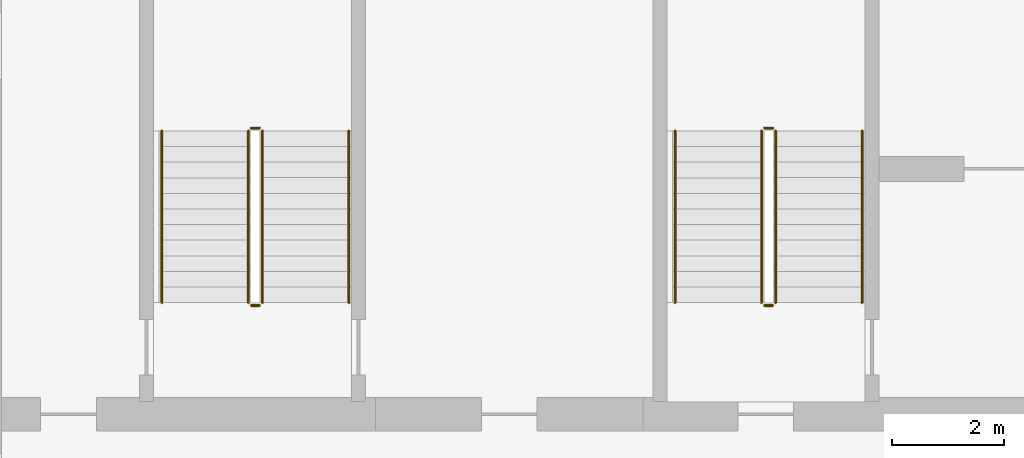
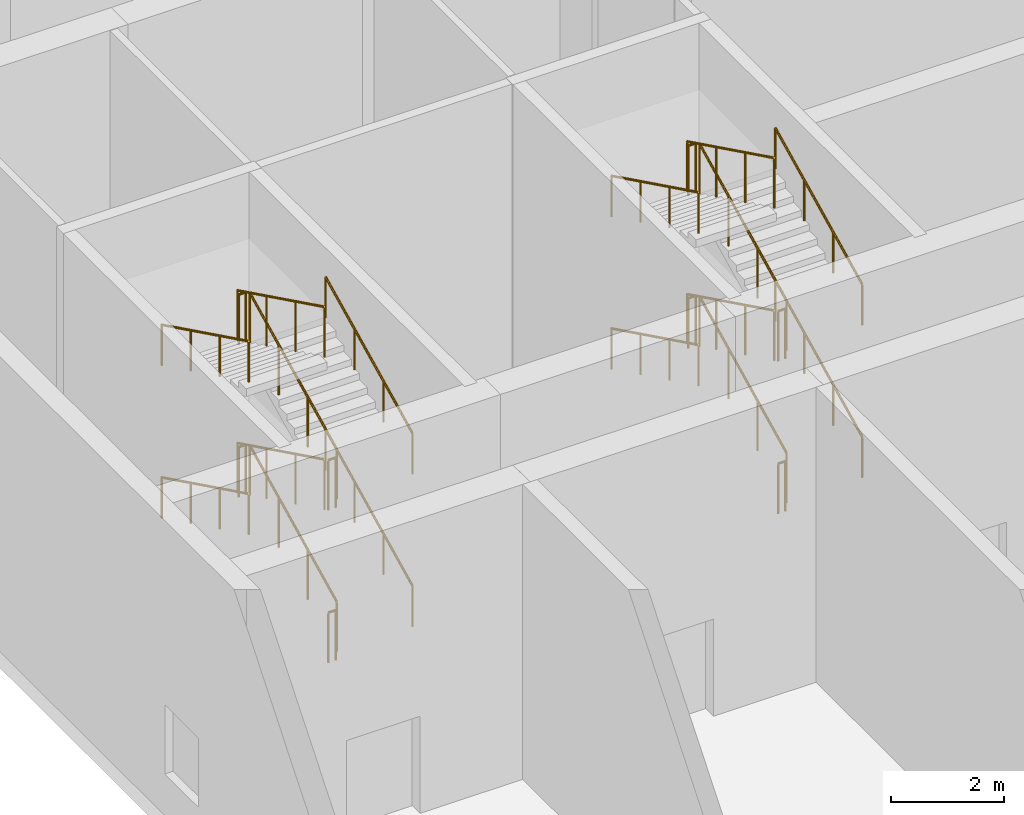
# One storey, part 12 of 13: 24 railings.
"""IFC4 building model written with IfcOpenShell, lengths in metres."""

from ifc_helpers import new_model, si_unit, direction, frame, origin, origin_2d, place, context, subcontext, project, spatial, circle, extrude, material, type_object, element, save


model = new_model("IFC4")

# Units and contexts
model_context = context("Model", 3, precision=1e-05, world=origin(), true_north=direction((0.0, 1.0)))
body_context = subcontext(model_context, "Body", "Model", "MODEL_VIEW")
ifc_project = project(units=[si_unit("LENGTHUNIT", "METRE"), si_unit("AREAUNIT", "SQUARE_METRE"), si_unit("VOLUMEUNIT", "CUBIC_METRE"), si_unit("PLANEANGLEUNIT", "RADIAN"), si_unit("MASSUNIT", "GRAM", prefix="KILO")], contexts=[model_context])

# Site, building, storey
site_placement = place(None, origin())
site = spatial("IfcSite", under=ifc_project, at=site_placement, CompositionType="ELEMENT")
building_placement = place(site_placement, origin())
building = spatial("IfcBuilding", under=site, at=building_placement, Name="Poui Terraces", CompositionType="ELEMENT")
storey_placement = place(building_placement, frame((0.0, 0.0, 165.300048828125)))
storey = spatial("IfcBuildingStorey", under=building, at=storey_placement, Name="L46", CompositionType="ELEMENT", Elevation=165.300048828125)

# Railings
ifc_material_1 = material(Name="Galvanised steel balustrade", Category="steel")
railing_type_1 = type_object("IfcRailingType", Name="STAIR GUARD 1100", PredefinedType="GUARDRAIL", material=ifc_material_1)
railing_1_placement = place(storey_placement, frame((32.074951171875, 16.60009765625, 0.137451171875)))
element("IfcRailing", 1, at=railing_1_placement, inside=storey, type_object=railing_type_1, Name="L46 ST-CW stair guard 1", PredefinedType="GUARDRAIL", context=body_context, shape_type="SweptSolid", body=[
    extrude(circle(Radius=0.02392578125, at=origin_2d()), frame((0.0, 0.0, 1.076171875), z_axis=(0.0, 0.897606190399, 0.440798283751), x_axis=(-1.0, 0.0, 0.0)), (0.0, 0.0, 1.0), 3.43115234375),
    extrude(circle(Radius=0.02099609375, at=origin_2d()), origin(), (0.0, 0.0, 1.0), 1.052001953125),
    extrude(circle(Radius=0.02099609375, at=origin_2d()), frame((0.0, 1.026611328125, 0.504150390625)), (0.0, 0.0, 1.0), 1.052001953125),
    extrude(circle(Radius=0.02099609375, at=origin_2d()), frame((0.0, 2.05322265625, 1.00830078125)), (0.0, 0.0, 1.0), 1.052001953125),
    extrude(circle(Radius=0.02099609375, at=origin_2d()), frame((0.0, 3.079833984375, 1.512451171875)), (0.0, 0.0, 1.0), 1.052001953125),
])
railing_2_placement = place(storey_placement, frame((32.02490234375, 19.72998046875, 1.64990234375)))
element("IfcRailing", 2, at=railing_2_placement, inside=storey, type_object=railing_type_1, Name="L46 ST-CW stair guard 2", PredefinedType="GUARDRAIL", context=body_context, shape_type="SweptSolid", body=[
    extrude(circle(Radius=0.02392578125, at=origin_2d()), frame((0.0, 0.0, 1.076171875), z_axis=(-1.0, 0.0, 0.0), x_axis=(0.0, -1.0, 0.0)), (0.0, 0.0, 1.0), 0.14990234375),
    extrude(circle(Radius=0.02099609375, at=origin_2d()), origin(), (0.0, 0.0, 1.0), 1.052001953125),
    extrude(circle(Radius=0.02099609375, at=origin_2d()), frame((-0.14990234375, 0.0, 0.0)), (0.0, 0.0, 1.0), 1.052001953125),
])
railing_3_placement = place(storey_placement, frame((31.824951171875, 19.679931640625, 1.787353515625)))
element("IfcRailing", 3, at=railing_3_placement, inside=storey, type_object=railing_type_1, Name="L46 ST-CW stair guard 3", PredefinedType="GUARDRAIL", context=body_context, shape_type="SweptSolid", body=[
    extrude(circle(Radius=0.02392578125, at=origin_2d()), frame((0.0, 0.0, 1.076171875), z_axis=(0.0, -0.897578036475, 0.440855609512), x_axis=(1.0, 0.0, 0.0)), (0.0, 0.0, 1.0), 3.43115234375),
    extrude(circle(Radius=0.02099609375, at=origin_2d()), origin(), (0.0, 0.0, 1.0), 1.052001953125),
    extrude(circle(Radius=0.02099609375, at=origin_2d()), frame((0.0, -1.026611328125, 0.504150390625)), (0.0, 0.0, 1.0), 1.052001953125),
    extrude(circle(Radius=0.02099609375, at=origin_2d()), frame((0.0, -2.05322265625, 1.008544921875)), (0.0, 0.0, 1.0), 1.052001953125),
    extrude(circle(Radius=0.02099609375, at=origin_2d()), frame((0.0, -3.079833984375, 1.5126953125)), (0.0, 0.0, 1.0), 1.052001953125),
])
railing_4_placement = place(storey_placement, frame((32.02490234375, 16.550048828125, 3.300048828125)))
element("IfcRailing", 4, at=railing_4_placement, inside=storey, type_object=railing_type_1, Name="L46 ST-CW stair guard 4", PredefinedType="GUARDRAIL", context=body_context, shape_type="SweptSolid", body=[
    extrude(circle(Radius=0.02392578125, at=origin_2d()), frame((0.0, 0.0, 1.076171875), z_axis=(-1.0, 0.0, 0.0), x_axis=(0.0, -1.0, 0.0)), (0.0, 0.0, 1.0), 0.14990234375),
    extrude(circle(Radius=0.02099609375, at=origin_2d()), origin(), (0.0, 0.0, 1.0), 1.052001953125),
    extrude(circle(Radius=0.02099609375, at=origin_2d()), frame((-0.14990234375, 0.0, 0.0)), (0.0, 0.0, 1.0), 1.052001953125),
])
railing_5_placement = place(storey_placement, frame((32.074951171875, 16.60009765625, 3.4375)))
element("IfcRailing", 5, at=railing_5_placement, inside=storey, type_object=railing_type_1, Name="L46 ST-CW stair guard 5", PredefinedType="GUARDRAIL", context=body_context, shape_type="SweptSolid", body=[
    extrude(circle(Radius=0.02392578125, at=origin_2d()), frame((0.0, 0.0, 1.076171875), z_axis=(0.0, 0.897606190399, 0.440798283751), x_axis=(-1.0, 0.0, 0.0)), (0.0, 0.0, 1.0), 3.43115234375),
    extrude(circle(Radius=0.02099609375, at=origin_2d()), origin(), (0.0, 0.0, 1.0), 1.052001953125),
    extrude(circle(Radius=0.02099609375, at=origin_2d()), frame((0.0, 1.026611328125, 0.504150390625)), (0.0, 0.0, 1.0), 1.052001953125),
    extrude(circle(Radius=0.02099609375, at=origin_2d()), frame((0.0, 2.05322265625, 1.00830078125)), (0.0, 0.0, 1.0), 1.052001953125),
    extrude(circle(Radius=0.02099609375, at=origin_2d()), frame((0.0, 3.079833984375, 1.512451171875)), (0.0, 0.0, 1.0), 1.052001953125),
])
railing_6_placement = place(storey_placement, frame((32.02490234375, 19.72998046875, 4.949951171875)))
element("IfcRailing", 6, at=railing_6_placement, inside=storey, type_object=railing_type_1, Name="L46 ST-CW stair guard 6", PredefinedType="GUARDRAIL", context=body_context, shape_type="SweptSolid", body=[
    extrude(circle(Radius=0.02392578125, at=origin_2d()), frame((0.0, 0.0, 1.076171875), z_axis=(-1.0, 0.0, 0.0), x_axis=(0.0, -1.0, 0.0)), (0.0, 0.0, 1.0), 0.14990234375),
    extrude(circle(Radius=0.02099609375, at=origin_2d()), origin(), (0.0, 0.0, 1.0), 1.052001953125),
    extrude(circle(Radius=0.02099609375, at=origin_2d()), frame((-0.14990234375, 0.0, 0.0)), (0.0, 0.0, 1.0), 1.052001953125),
])
railing_7_placement = place(storey_placement, frame((31.824951171875, 19.679931640625, 5.08740234375)))
element("IfcRailing", 7, at=railing_7_placement, inside=storey, type_object=railing_type_1, Name="L46 ST-CW stair guard 7", PredefinedType="GUARDRAIL", context=body_context, shape_type="SweptSolid", body=[
    extrude(circle(Radius=0.02392578125, at=origin_2d()), frame((0.0, 0.0, 1.076171875), z_axis=(0.0, -0.897606190399, 0.440798283751), x_axis=(1.0, 0.0, 0.0)), (0.0, 0.0, 1.0), 3.43115234375),
    extrude(circle(Radius=0.02099609375, at=origin_2d()), origin(), (0.0, 0.0, 1.0), 1.052001953125),
    extrude(circle(Radius=0.02099609375, at=origin_2d()), frame((0.0, -1.026611328125, 0.504150390625)), (0.0, 0.0, 1.0), 1.052001953125),
    extrude(circle(Radius=0.02099609375, at=origin_2d()), frame((0.0, -2.05322265625, 1.00830078125)), (0.0, 0.0, 1.0), 1.052001953125),
    extrude(circle(Radius=0.02099609375, at=origin_2d()), frame((0.0, -3.079833984375, 1.512451171875)), (0.0, 0.0, 1.0), 1.052001953125),
])
railing_8_placement = place(storey_placement, frame((32.02490234375, 16.550048828125, 0.0)))
element("IfcRailing", 8, at=railing_8_placement, inside=storey, type_object=railing_type_1, Name="L46 ST-CW stair guard 8", PredefinedType="GUARDRAIL", context=body_context, shape_type="SweptSolid", body=[
    extrude(circle(Radius=0.02392578125, at=origin_2d()), frame((0.0, 0.0, 1.076171875), z_axis=(-1.0, 0.0, 0.0), x_axis=(0.0, -1.0, 0.0)), (0.0, 0.0, 1.0), 0.14990234375),
    extrude(circle(Radius=0.02099609375, at=origin_2d()), origin(), (0.0, 0.0, 1.0), 1.052001953125),
    extrude(circle(Radius=0.02099609375, at=origin_2d()), frame((-0.14990234375, 0.0, 0.0)), (0.0, 0.0, 1.0), 1.052001953125),
])
railing_9_placement = place(storey_placement, frame((22.875, 16.60009765625, 0.137451171875)))
element("IfcRailing", 9, at=railing_9_placement, inside=storey, type_object=railing_type_1, Name="L46 ST-W stair guard 1", PredefinedType="GUARDRAIL", context=body_context, shape_type="SweptSolid", body=[
    extrude(circle(Radius=0.02392578125, at=origin_2d()), frame((0.0, 0.0, 1.076171875), z_axis=(0.0, 0.897606190399, 0.440798283751), x_axis=(-1.0, 0.0, 0.0)), (0.0, 0.0, 1.0), 3.43115234375),
    extrude(circle(Radius=0.02099609375, at=origin_2d()), origin(), (0.0, 0.0, 1.0), 1.052001953125),
    extrude(circle(Radius=0.02099609375, at=origin_2d()), frame((0.0, 1.026611328125, 0.504150390625)), (0.0, 0.0, 1.0), 1.052001953125),
    extrude(circle(Radius=0.02099609375, at=origin_2d()), frame((0.0, 2.05322265625, 1.00830078125)), (0.0, 0.0, 1.0), 1.052001953125),
    extrude(circle(Radius=0.02099609375, at=origin_2d()), frame((0.0, 3.079833984375, 1.512451171875)), (0.0, 0.0, 1.0), 1.052001953125),
])
railing_10_placement = place(storey_placement, frame((22.824951171875, 19.72998046875, 1.64990234375)))
element("IfcRailing", 10, at=railing_10_placement, inside=storey, type_object=railing_type_1, Name="L46 ST-W stair guard 2", PredefinedType="GUARDRAIL", context=body_context, shape_type="SweptSolid", body=[
    extrude(circle(Radius=0.02392578125, at=origin_2d()), frame((0.0, 0.0, 1.076171875), z_axis=(-1.0, 0.0, 0.0), x_axis=(0.0, -1.0, 0.0)), (0.0, 0.0, 1.0), 0.14990234375),
    extrude(circle(Radius=0.02099609375, at=origin_2d()), origin(), (0.0, 0.0, 1.0), 1.052001953125),
    extrude(circle(Radius=0.02099609375, at=origin_2d()), frame((-0.14990234375, 0.0, 0.0)), (0.0, 0.0, 1.0), 1.052001953125),
])
railing_11_placement = place(storey_placement, frame((22.625, 19.679931640625, 1.787353515625)))
element("IfcRailing", 11, at=railing_11_placement, inside=storey, type_object=railing_type_1, Name="L46 ST-W stair guard 3", PredefinedType="GUARDRAIL", context=body_context, shape_type="SweptSolid", body=[
    extrude(circle(Radius=0.02392578125, at=origin_2d()), frame((0.0, 0.0, 1.076171875), z_axis=(0.0, -0.897578036475, 0.440855609512), x_axis=(1.0, 0.0, 0.0)), (0.0, 0.0, 1.0), 3.43115234375),
    extrude(circle(Radius=0.02099609375, at=origin_2d()), origin(), (0.0, 0.0, 1.0), 1.052001953125),
    extrude(circle(Radius=0.02099609375, at=origin_2d()), frame((0.0, -1.026611328125, 0.504150390625)), (0.0, 0.0, 1.0), 1.052001953125),
    extrude(circle(Radius=0.02099609375, at=origin_2d()), frame((0.0, -2.05322265625, 1.008544921875)), (0.0, 0.0, 1.0), 1.052001953125),
    extrude(circle(Radius=0.02099609375, at=origin_2d()), frame((0.0, -3.079833984375, 1.5126953125)), (0.0, 0.0, 1.0), 1.052001953125),
])
railing_12_placement = place(storey_placement, frame((22.824951171875, 16.550048828125, 3.300048828125)))
element("IfcRailing", 12, at=railing_12_placement, inside=storey, type_object=railing_type_1, Name="L46 ST-W stair guard 4", PredefinedType="GUARDRAIL", context=body_context, shape_type="SweptSolid", body=[
    extrude(circle(Radius=0.02392578125, at=origin_2d()), frame((0.0, 0.0, 1.076171875), z_axis=(-1.0, 0.0, 0.0), x_axis=(0.0, -1.0, 0.0)), (0.0, 0.0, 1.0), 0.14990234375),
    extrude(circle(Radius=0.02099609375, at=origin_2d()), origin(), (0.0, 0.0, 1.0), 1.052001953125),
    extrude(circle(Radius=0.02099609375, at=origin_2d()), frame((-0.14990234375, 0.0, 0.0)), (0.0, 0.0, 1.0), 1.052001953125),
])
railing_13_placement = place(storey_placement, frame((22.875, 16.60009765625, 3.4375)))
element("IfcRailing", 13, at=railing_13_placement, inside=storey, type_object=railing_type_1, Name="L46 ST-W stair guard 5", PredefinedType="GUARDRAIL", context=body_context, shape_type="SweptSolid", body=[
    extrude(circle(Radius=0.02392578125, at=origin_2d()), frame((0.0, 0.0, 1.076171875), z_axis=(0.0, 0.897606190399, 0.440798283751), x_axis=(-1.0, 0.0, 0.0)), (0.0, 0.0, 1.0), 3.43115234375),
    extrude(circle(Radius=0.02099609375, at=origin_2d()), origin(), (0.0, 0.0, 1.0), 1.052001953125),
    extrude(circle(Radius=0.02099609375, at=origin_2d()), frame((0.0, 1.026611328125, 0.504150390625)), (0.0, 0.0, 1.0), 1.052001953125),
    extrude(circle(Radius=0.02099609375, at=origin_2d()), frame((0.0, 2.05322265625, 1.00830078125)), (0.0, 0.0, 1.0), 1.052001953125),
    extrude(circle(Radius=0.02099609375, at=origin_2d()), frame((0.0, 3.079833984375, 1.512451171875)), (0.0, 0.0, 1.0), 1.052001953125),
])
railing_14_placement = place(storey_placement, frame((22.824951171875, 19.72998046875, 4.949951171875)))
element("IfcRailing", 14, at=railing_14_placement, inside=storey, type_object=railing_type_1, Name="L46 ST-W stair guard 6", PredefinedType="GUARDRAIL", context=body_context, shape_type="SweptSolid", body=[
    extrude(circle(Radius=0.02392578125, at=origin_2d()), frame((0.0, 0.0, 1.076171875), z_axis=(-1.0, 0.0, 0.0), x_axis=(0.0, -1.0, 0.0)), (0.0, 0.0, 1.0), 0.14990234375),
    extrude(circle(Radius=0.02099609375, at=origin_2d()), origin(), (0.0, 0.0, 1.0), 1.052001953125),
    extrude(circle(Radius=0.02099609375, at=origin_2d()), frame((-0.14990234375, 0.0, 0.0)), (0.0, 0.0, 1.0), 1.052001953125),
])
railing_15_placement = place(storey_placement, frame((22.625, 19.679931640625, 5.08740234375)))
element("IfcRailing", 15, at=railing_15_placement, inside=storey, type_object=railing_type_1, Name="L46 ST-W stair guard 7", PredefinedType="GUARDRAIL", context=body_context, shape_type="SweptSolid", body=[
    extrude(circle(Radius=0.02392578125, at=origin_2d()), frame((0.0, 0.0, 1.076171875), z_axis=(0.0, -0.897606190399, 0.440798283751), x_axis=(1.0, 0.0, 0.0)), (0.0, 0.0, 1.0), 3.43115234375),
    extrude(circle(Radius=0.02099609375, at=origin_2d()), origin(), (0.0, 0.0, 1.0), 1.052001953125),
    extrude(circle(Radius=0.02099609375, at=origin_2d()), frame((0.0, -1.026611328125, 0.504150390625)), (0.0, 0.0, 1.0), 1.052001953125),
    extrude(circle(Radius=0.02099609375, at=origin_2d()), frame((0.0, -2.05322265625, 1.00830078125)), (0.0, 0.0, 1.0), 1.052001953125),
    extrude(circle(Radius=0.02099609375, at=origin_2d()), frame((0.0, -3.079833984375, 1.512451171875)), (0.0, 0.0, 1.0), 1.052001953125),
])
railing_16_placement = place(storey_placement, frame((22.824951171875, 16.550048828125, 0.0)))
element("IfcRailing", 16, at=railing_16_placement, inside=storey, type_object=railing_type_1, Name="L46 ST-W stair guard 8", PredefinedType="GUARDRAIL", context=body_context, shape_type="SweptSolid", body=[
    extrude(circle(Radius=0.02392578125, at=origin_2d()), frame((0.0, 0.0, 1.076171875), z_axis=(-1.0, 0.0, 0.0), x_axis=(0.0, -1.0, 0.0)), (0.0, 0.0, 1.0), 0.14990234375),
    extrude(circle(Radius=0.02099609375, at=origin_2d()), origin(), (0.0, 0.0, 1.0), 1.052001953125),
    extrude(circle(Radius=0.02099609375, at=origin_2d()), frame((-0.14990234375, 0.0, 0.0)), (0.0, 0.0, 1.0), 1.052001953125),
])
ifc_material_2 = material(Name="Stainless steel handrail", Category="steel")
railing_type_2 = type_object("IfcRailingType", Name="STAIR HANDRAIL 900", PredefinedType="HANDRAIL", material=ifc_material_2)
railing_17_placement = place(storey_placement, frame((33.625, 16.60009765625, 0.137451171875)))
element("IfcRailing", 17, at=railing_17_placement, inside=storey, type_object=railing_type_2, Name="L46 ST-CW stair handrail 1", PredefinedType="HANDRAIL", context=body_context, shape_type="SweptSolid", body=[
    extrude(circle(Radius=0.02392578125, at=origin_2d()), frame((0.0, 0.0, 0.8759765625), z_axis=(0.0, 0.897606190399, 0.440798283751), x_axis=(-1.0, 0.0, 0.0)), (0.0, 0.0, 1.0), 3.43115234375),
    extrude(circle(Radius=0.02099609375, at=origin_2d()), origin(), (0.0, 0.0, 1.0), 0.851806640625),
    extrude(circle(Radius=0.02099609375, at=origin_2d()), frame((0.0, 1.026611328125, 0.504150390625)), (0.0, 0.0, 1.0), 0.851806640625),
    extrude(circle(Radius=0.02099609375, at=origin_2d()), frame((0.0, 2.05322265625, 1.00830078125)), (0.0, 0.0, 1.0), 0.851806640625),
    extrude(circle(Radius=0.02099609375, at=origin_2d()), frame((0.0, 3.079833984375, 1.512451171875)), (0.0, 0.0, 1.0), 0.851806640625),
])
railing_18_placement = place(storey_placement, frame((30.27490234375, 19.679931640625, 1.787353515625)))
element("IfcRailing", 18, at=railing_18_placement, inside=storey, type_object=railing_type_2, Name="L46 ST-CW stair handrail 2", PredefinedType="HANDRAIL", context=body_context, shape_type="SweptSolid", body=[
    extrude(circle(Radius=0.02392578125, at=origin_2d()), frame((0.0, 0.0, 0.8759765625), z_axis=(0.0, -0.897578036475, 0.440855609512), x_axis=(1.0, 0.0, 0.0)), (0.0, 0.0, 1.0), 3.43115234375),
    extrude(circle(Radius=0.02099609375, at=origin_2d()), origin(), (0.0, 0.0, 1.0), 0.851806640625),
    extrude(circle(Radius=0.02099609375, at=origin_2d()), frame((0.0, -1.026611328125, 0.504150390625)), (0.0, 0.0, 1.0), 0.851806640625),
    extrude(circle(Radius=0.02099609375, at=origin_2d()), frame((0.0, -2.05322265625, 1.008544921875)), (0.0, 0.0, 1.0), 0.851806640625),
    extrude(circle(Radius=0.02099609375, at=origin_2d()), frame((0.0, -3.079833984375, 1.5126953125)), (0.0, 0.0, 1.0), 0.851806640625),
])
railing_19_placement = place(storey_placement, frame((33.625, 16.60009765625, 3.4375)))
element("IfcRailing", 19, at=railing_19_placement, inside=storey, type_object=railing_type_2, Name="L46 ST-CW stair handrail 3", PredefinedType="HANDRAIL", context=body_context, shape_type="SweptSolid", body=[
    extrude(circle(Radius=0.02392578125, at=origin_2d()), frame((0.0, 0.0, 0.8759765625), z_axis=(0.0, 0.897606190399, 0.440798283751), x_axis=(-1.0, 0.0, 0.0)), (0.0, 0.0, 1.0), 3.43115234375),
    extrude(circle(Radius=0.02099609375, at=origin_2d()), origin(), (0.0, 0.0, 1.0), 0.851806640625),
    extrude(circle(Radius=0.02099609375, at=origin_2d()), frame((0.0, 1.026611328125, 0.504150390625)), (0.0, 0.0, 1.0), 0.851806640625),
    extrude(circle(Radius=0.02099609375, at=origin_2d()), frame((0.0, 2.05322265625, 1.00830078125)), (0.0, 0.0, 1.0), 0.851806640625),
    extrude(circle(Radius=0.02099609375, at=origin_2d()), frame((0.0, 3.079833984375, 1.512451171875)), (0.0, 0.0, 1.0), 0.851806640625),
])
railing_20_placement = place(storey_placement, frame((30.27490234375, 19.679931640625, 5.08740234375)))
element("IfcRailing", 20, at=railing_20_placement, inside=storey, type_object=railing_type_2, Name="L46 ST-CW stair handrail 4", PredefinedType="HANDRAIL", context=body_context, shape_type="SweptSolid", body=[
    extrude(circle(Radius=0.02392578125, at=origin_2d()), frame((0.0, 0.0, 0.8759765625), z_axis=(0.0, -0.897606190399, 0.440798283751), x_axis=(1.0, 0.0, 0.0)), (0.0, 0.0, 1.0), 3.43115234375),
    extrude(circle(Radius=0.02099609375, at=origin_2d()), origin(), (0.0, 0.0, 1.0), 0.851806640625),
    extrude(circle(Radius=0.02099609375, at=origin_2d()), frame((0.0, -1.026611328125, 0.504150390625)), (0.0, 0.0, 1.0), 0.851806640625),
    extrude(circle(Radius=0.02099609375, at=origin_2d()), frame((0.0, -2.05322265625, 1.00830078125)), (0.0, 0.0, 1.0), 0.851806640625),
    extrude(circle(Radius=0.02099609375, at=origin_2d()), frame((0.0, -3.079833984375, 1.512451171875)), (0.0, 0.0, 1.0), 0.851806640625),
])
railing_21_placement = place(storey_placement, frame((24.425048828125, 16.60009765625, 0.137451171875)))
element("IfcRailing", 21, at=railing_21_placement, inside=storey, type_object=railing_type_2, Name="L46 ST-W stair handrail 1", PredefinedType="HANDRAIL", context=body_context, shape_type="SweptSolid", body=[
    extrude(circle(Radius=0.02392578125, at=origin_2d()), frame((0.0, 0.0, 0.8759765625), z_axis=(0.0, 0.897606190399, 0.440798283751), x_axis=(-1.0, 0.0, 0.0)), (0.0, 0.0, 1.0), 3.43115234375),
    extrude(circle(Radius=0.02099609375, at=origin_2d()), origin(), (0.0, 0.0, 1.0), 0.851806640625),
    extrude(circle(Radius=0.02099609375, at=origin_2d()), frame((0.0, 1.026611328125, 0.504150390625)), (0.0, 0.0, 1.0), 0.851806640625),
    extrude(circle(Radius=0.02099609375, at=origin_2d()), frame((0.0, 2.05322265625, 1.00830078125)), (0.0, 0.0, 1.0), 0.851806640625),
    extrude(circle(Radius=0.02099609375, at=origin_2d()), frame((0.0, 3.079833984375, 1.512451171875)), (0.0, 0.0, 1.0), 0.851806640625),
])
railing_22_placement = place(storey_placement, frame((21.074951171875, 19.679931640625, 1.787353515625)))
element("IfcRailing", 22, at=railing_22_placement, inside=storey, type_object=railing_type_2, Name="L46 ST-W stair handrail 2", PredefinedType="HANDRAIL", context=body_context, shape_type="SweptSolid", body=[
    extrude(circle(Radius=0.02392578125, at=origin_2d()), frame((0.0, 0.0, 0.8759765625), z_axis=(0.0, -0.897578036475, 0.440855609512), x_axis=(1.0, 0.0, 0.0)), (0.0, 0.0, 1.0), 3.43115234375),
    extrude(circle(Radius=0.02099609375, at=origin_2d()), origin(), (0.0, 0.0, 1.0), 0.851806640625),
    extrude(circle(Radius=0.02099609375, at=origin_2d()), frame((0.0, -1.026611328125, 0.504150390625)), (0.0, 0.0, 1.0), 0.851806640625),
    extrude(circle(Radius=0.02099609375, at=origin_2d()), frame((0.0, -2.05322265625, 1.008544921875)), (0.0, 0.0, 1.0), 0.851806640625),
    extrude(circle(Radius=0.02099609375, at=origin_2d()), frame((0.0, -3.079833984375, 1.5126953125)), (0.0, 0.0, 1.0), 0.851806640625),
])
railing_23_placement = place(storey_placement, frame((24.425048828125, 16.60009765625, 3.4375)))
element("IfcRailing", 23, at=railing_23_placement, inside=storey, type_object=railing_type_2, Name="L46 ST-W stair handrail 3", PredefinedType="HANDRAIL", context=body_context, shape_type="SweptSolid", body=[
    extrude(circle(Radius=0.02392578125, at=origin_2d()), frame((0.0, 0.0, 0.8759765625), z_axis=(0.0, 0.897606190399, 0.440798283751), x_axis=(-1.0, 0.0, 0.0)), (0.0, 0.0, 1.0), 3.43115234375),
    extrude(circle(Radius=0.02099609375, at=origin_2d()), origin(), (0.0, 0.0, 1.0), 0.851806640625),
    extrude(circle(Radius=0.02099609375, at=origin_2d()), frame((0.0, 1.026611328125, 0.504150390625)), (0.0, 0.0, 1.0), 0.851806640625),
    extrude(circle(Radius=0.02099609375, at=origin_2d()), frame((0.0, 2.05322265625, 1.00830078125)), (0.0, 0.0, 1.0), 0.851806640625),
    extrude(circle(Radius=0.02099609375, at=origin_2d()), frame((0.0, 3.079833984375, 1.512451171875)), (0.0, 0.0, 1.0), 0.851806640625),
])
railing_24_placement = place(storey_placement, frame((21.074951171875, 19.679931640625, 5.08740234375)))
element("IfcRailing", 24, at=railing_24_placement, inside=storey, type_object=railing_type_2, Name="L46 ST-W stair handrail 4", PredefinedType="HANDRAIL", context=body_context, shape_type="SweptSolid", body=[
    extrude(circle(Radius=0.02392578125, at=origin_2d()), frame((0.0, 0.0, 0.8759765625), z_axis=(0.0, -0.897606190399, 0.440798283751), x_axis=(1.0, 0.0, 0.0)), (0.0, 0.0, 1.0), 3.43115234375),
    extrude(circle(Radius=0.02099609375, at=origin_2d()), origin(), (0.0, 0.0, 1.0), 0.851806640625),
    extrude(circle(Radius=0.02099609375, at=origin_2d()), frame((0.0, -1.026611328125, 0.504150390625)), (0.0, 0.0, 1.0), 0.851806640625),
    extrude(circle(Radius=0.02099609375, at=origin_2d()), frame((0.0, -2.05322265625, 1.00830078125)), (0.0, 0.0, 1.0), 0.851806640625),
    extrude(circle(Radius=0.02099609375, at=origin_2d()), frame((0.0, -3.079833984375, 1.512451171875)), (0.0, 0.0, 1.0), 0.851806640625),
])

save(model, "model.ifc")
